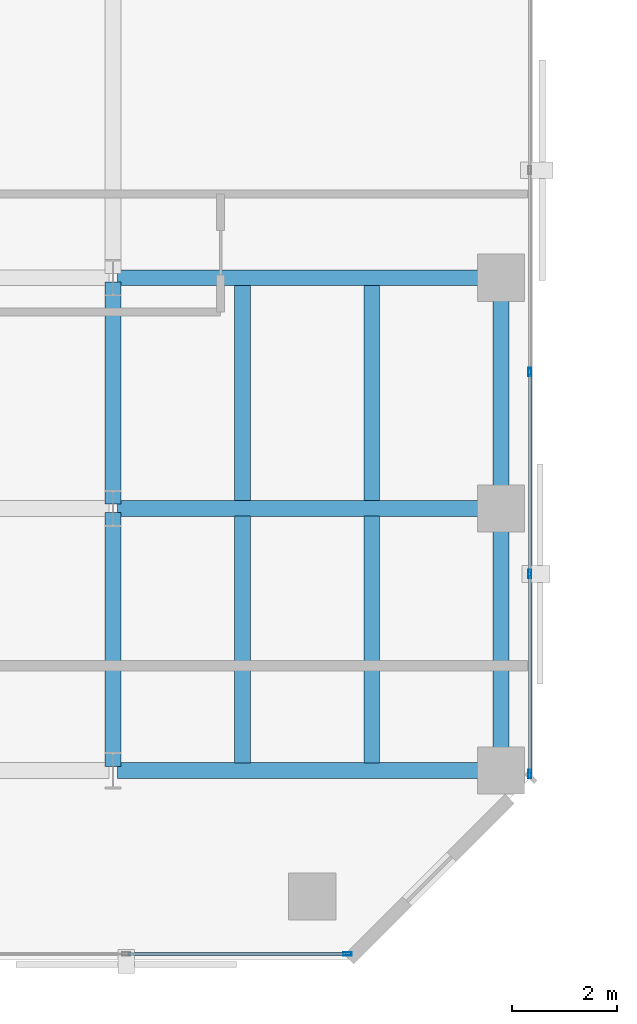
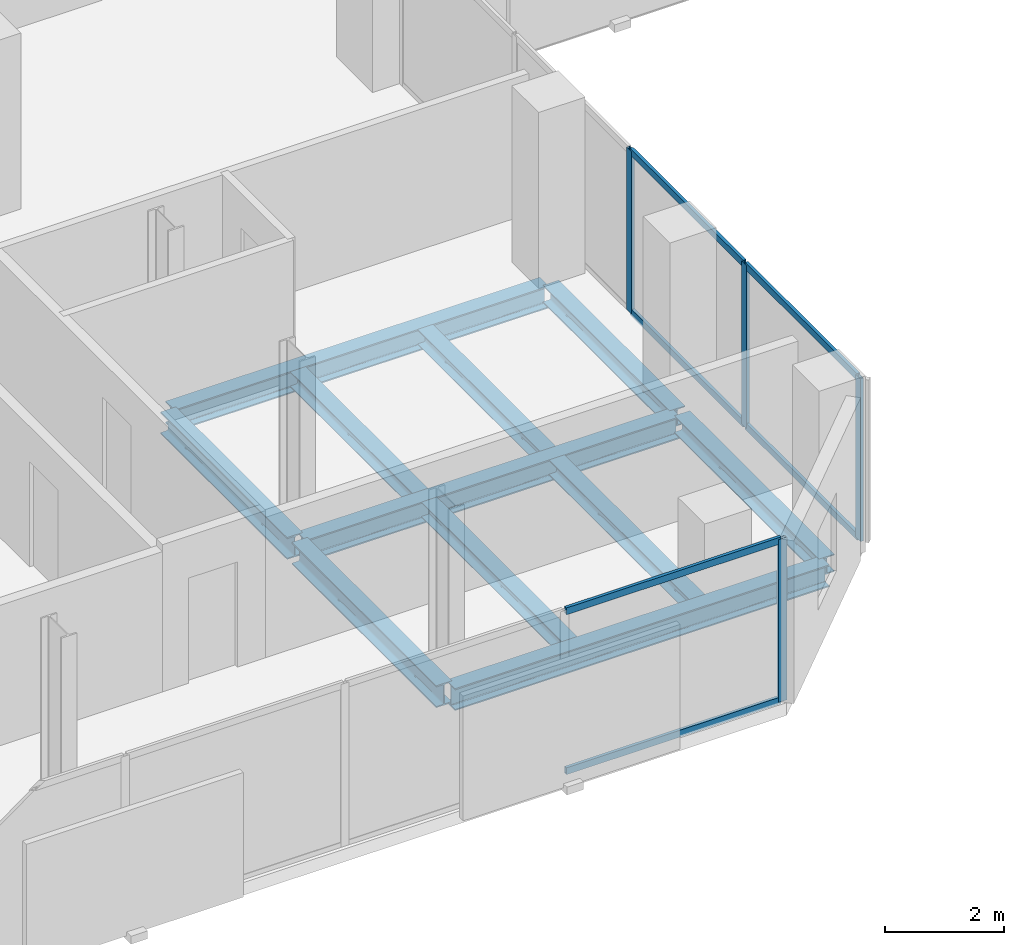
# One storey, part 7 of 34: 11 beams, 10 members, 2 elements without a shape of their own.
"""IFC4 building model written with IfcOpenShell, lengths in metres."""

from ifc_helpers import new_model, si_unit, direction, frame, origin, origin_2d, place, context, subcontext, project, spatial, hollow_rectangle, i_section, extrude, material, layer, layer_set, material_profile, profile_set, type_object, element, aggregate, save


model = new_model("IFC4")

# Units and contexts
model_context = context("Model", 3, precision=1e-05, world=origin(), true_north=direction((0.0, 1.0)))
body_context = subcontext(model_context, "Body", "Model", "MODEL_VIEW")
ifc_project = project(units=[si_unit("LENGTHUNIT", "METRE"), si_unit("AREAUNIT", "SQUARE_METRE"), si_unit("VOLUMEUNIT", "CUBIC_METRE"), si_unit("PLANEANGLEUNIT", "RADIAN"), si_unit("MASSUNIT", "GRAM", prefix="KILO")], contexts=[model_context])

# Site, building, storey
site_placement = place(None, origin())
site = spatial("IfcSite", under=ifc_project, at=site_placement, CompositionType="ELEMENT")
building_placement = place(site_placement, origin())
building = spatial("IfcBuilding", under=site, at=building_placement, Name="Catumbela Crestline Tower", CompositionType="ELEMENT")
storey_placement = place(building_placement, frame((0.0, 0.0, 111.6)))
storey = spatial("IfcBuildingStorey", under=building, at=storey_placement, Name="L28", CompositionType="ELEMENT", Elevation=111.6)

# Beams
ifc_material_1 = material(Name="Structural steel S355J2", Category="steel")
ifc_material_profile_1 = material_profile(ifc_material_1, i_section(OverallWidth=0.3, OverallDepth=0.45, WebThickness=0.014, FlangeThickness=0.026, FilletRadius=0.027, at=origin_2d()), Name="HEB 450")
ifc_profile_set_1 = profile_set([ifc_material_profile_1], Name="Structural steel S355J2")
beam_type_1 = type_object("IfcBeamType", Name="BG-HEB450", PredefinedType="BEAM", material=ifc_profile_set_1)
for number, where, z_axis, x_axis, name in (
    (1, (16.08, 8.6, -0.485), (1.0, 0.0, 0.0), (0.0, 1.0, 0.0), "L28 Beam BM-L28-WEW45"),
    (2, (16.08, 13.6, -0.485), (1.0, 0.0, 0.0), (0.0, 1.0, 0.0), "L28 Beam BM-L28-WEW48"),
    (3, (16.08, 18.0, -0.485), (1.0, 0.0, 0.0), (0.0, 1.0, 0.0), "L28 Beam BM-L28-WEW51"),
):
    element("IfcBeam", number, at=place(storey_placement, frame(where, z_axis=z_axis, x_axis=x_axis)), inside=storey, type_object=beam_type_1, Name=name, PredefinedType="BEAM", context=body_context, shape_type="SweptSolid", body=[
        extrude(i_section(OverallWidth=0.3, OverallDepth=0.45, WebThickness=0.014, FlangeThickness=0.026, FilletRadius=0.027, at=origin_2d()), origin(), (0.0, 0.0, 1.0), 7.24),
    ])
beam_1_placement = place(storey_placement, frame((16.0, 8.68, -0.485), z_axis=(0.0, 1.0, 0.0), x_axis=(-1.0, 0.0, 0.0)))
element("IfcBeam", 4, at=beam_1_placement, inside=storey, type_object=beam_type_1, Name="L28 Beam BM-L28-WNS58", PredefinedType="BEAM", context=body_context, shape_type="SweptSolid", body=[
    extrude(i_section(OverallWidth=0.3, OverallDepth=0.45, WebThickness=0.014, FlangeThickness=0.026, FilletRadius=0.027, at=origin_2d()), origin(), (0.0, 0.0, 1.0), 4.84),
])
beam_2_placement = place(storey_placement, frame((16.0, 13.68, -0.485), z_axis=(0.0, 1.0, 0.0), x_axis=(-1.0, 0.0, 0.0)))
element("IfcBeam", 5, at=beam_2_placement, inside=storey, type_object=beam_type_1, Name="L28 Beam BM-L28-WNS59", PredefinedType="BEAM", context=body_context, shape_type="SweptSolid", body=[
    extrude(i_section(OverallWidth=0.3, OverallDepth=0.45, WebThickness=0.014, FlangeThickness=0.026, FilletRadius=0.027, at=origin_2d()), origin(), (0.0, 0.0, 1.0), 4.24),
])
ifc_material_profile_2 = material_profile(ifc_material_1, i_section(OverallWidth=0.3, OverallDepth=0.31, WebThickness=0.009, FlangeThickness=0.0155, FilletRadius=0.027, at=origin_2d()), Name="HEA 320")
ifc_profile_set_2 = profile_set([ifc_material_profile_2], Name="Structural steel S355J2")
beam_type_2 = type_object("IfcBeamType", Name="BJ-HEA320", PredefinedType="JOIST", material=ifc_profile_set_2)
for number, where, z_axis, x_axis, name in (
    (6, (18.467, 8.747, -0.415), (0.0, 1.0, 0.0), (-1.0, 0.0, 0.0), "L28 Joist JS-L28-WG67"),
    (7, (20.933, 8.747, -0.415), (0.0, 1.0, 0.0), (-1.0, 0.0, 0.0), "L28 Joist JS-L28-WG68"),
):
    element("IfcBeam", number, at=place(storey_placement, frame(where, z_axis=z_axis, x_axis=x_axis)), inside=storey, type_object=beam_type_2, Name=name, PredefinedType="JOIST", context=body_context, shape_type="SweptSolid", body=[
        extrude(i_section(OverallWidth=0.3, OverallDepth=0.31, WebThickness=0.009, FlangeThickness=0.0155, FilletRadius=0.027, at=origin_2d()), origin(), (0.0, 0.0, 1.0), 4.706),
    ])
for number, where, z_axis, x_axis, name in (
    (8, (18.467, 13.747, -0.415), (0.0, 1.0, 0.0), (-1.0, 0.0, 0.0), "L28 Joist JS-L28-WG73"),
    (9, (20.933, 13.747, -0.415), (0.0, 1.0, 0.0), (-1.0, 0.0, 0.0), "L28 Joist JS-L28-WG74"),
):
    element("IfcBeam", number, at=place(storey_placement, frame(where, z_axis=z_axis, x_axis=x_axis)), inside=storey, type_object=beam_type_2, Name=name, PredefinedType="JOIST", context=body_context, shape_type="SweptSolid", body=[
        extrude(i_section(OverallWidth=0.3, OverallDepth=0.31, WebThickness=0.009, FlangeThickness=0.0155, FilletRadius=0.027, at=origin_2d()), origin(), (0.0, 0.0, 1.0), 4.106),
    ])

# Curtain wall, member
ifc_material_2 = material(Name="Aluminium alloy AW-6060-T66", Category="aluminium")
ifc_layer = layer(ifc_material_2, 0.18, Name="Aluminium alloy AW-6060-T66")
ifc_layer_set = layer_set([ifc_layer], Name="Aluminium alloy AW-6060-T66")
curtain_wall_type = type_object("IfcCurtainWallType", Name="CWU-Z2", PredefinedType="USERDEFINED", material=ifc_layer_set)
curtain_wall_1_placement = place(storey_placement, origin())
curtain_wall_1 = element("IfcCurtainWall", 10, at=curtain_wall_1_placement, inside=storey, type_object=curtain_wall_type, Name="L28 Unitised Curtain Wall CW-L28-E0S1", ObjectType="UNITISED", PredefinedType="USERDEFINED")
ifc_material_profile_3 = material_profile(ifc_material_2, hollow_rectangle(XDim=0.06, YDim=0.16, WallThickness=0.004, at=origin_2d()), Name="ALU 160x60x4")
ifc_profile_set_3 = profile_set([ifc_material_profile_3], Name="Aluminium alloy AW-6060-T66")
member_type_1 = type_object("IfcMemberType", Name="MUL-160X60", PredefinedType="MULLION", material=ifc_profile_set_3)
member_1_placement = place(storey_placement, frame((20.4675, 5.1, 0.0), z_axis=(0.0, 0.0, 1.0), x_axis=(0.0, 1.0, 0.0)))
member_1 = element("IfcMember", 11, at=member_1_placement, type_object=member_type_1, Name="CWU-Z2 mullion 5", PredefinedType="MULLION", context=body_context, shape_type="SweptSolid", body=[
    extrude(hollow_rectangle(XDim=0.06, YDim=0.16, WallThickness=0.004, at=origin_2d()), origin(), (0.0, 0.0, 1.0), 3.33),
])

# Curtain wall, members
curtain_wall_2_placement = place(storey_placement, origin())
curtain_wall_2 = element("IfcCurtainWall", 12, at=curtain_wall_2_placement, inside=storey, type_object=curtain_wall_type, Name="L28 Unitised Curtain Wall CW-L28-E2S1", ObjectType="UNITISED", PredefinedType="USERDEFINED")
member_2_placement = place(storey_placement, frame((23.95, 8.5325, 0.0), z_axis=(0.0, 0.0, 1.0), x_axis=(-1.0, 0.0, 0.0)))
member_2 = element("IfcMember", 13, at=member_2_placement, type_object=member_type_1, Name="CWU-Z2 mullion 1", PredefinedType="MULLION", context=body_context, shape_type="SweptSolid", body=[
    extrude(hollow_rectangle(XDim=0.06, YDim=0.16, WallThickness=0.004, at=origin_2d()), origin(), (0.0, 0.0, 1.0), 3.33),
])
member_3_placement = place(storey_placement, frame((23.95, 12.35, 0.0), z_axis=(0.0, 0.0, 1.0), x_axis=(-1.0, 0.0, 0.0)))
member_3 = element("IfcMember", 14, at=member_3_placement, type_object=member_type_1, Name="CWU-Z2 mullion 2", PredefinedType="MULLION", context=body_context, shape_type="SweptSolid", body=[
    extrude(hollow_rectangle(XDim=0.06, YDim=0.16, WallThickness=0.004, at=origin_2d()), origin(), (0.0, 0.0, 1.0), 3.33),
])
member_4_placement = place(storey_placement, frame((23.95, 16.2, 0.0), z_axis=(0.0, 0.0, 1.0), x_axis=(-1.0, 0.0, 0.0)))
member_4 = element("IfcMember", 15, at=member_4_placement, type_object=member_type_1, Name="CWU-Z2 mullion 3", PredefinedType="MULLION", context=body_context, shape_type="SweptSolid", body=[
    extrude(hollow_rectangle(XDim=0.06, YDim=0.16, WallThickness=0.004, at=origin_2d()), origin(), (0.0, 0.0, 1.0), 3.33),
])

# Beams
ifc_material_profile_4 = material_profile(ifc_material_1, i_section(OverallWidth=0.3, OverallDepth=0.36, WebThickness=0.0125, FlangeThickness=0.0225, FilletRadius=0.027, at=origin_2d()), Name="HEB 360")
ifc_profile_set_4 = profile_set([ifc_material_profile_4], Name="Structural steel S355J2")
beam_type_3 = type_object("IfcBeamType", Name="BS-HEB360", PredefinedType="SPANDREL", material=ifc_profile_set_4)
beam_3_placement = place(storey_placement, frame((23.4, 8.68, -0.44), z_axis=(0.0, 1.0, 0.0), x_axis=(-1.0, 0.0, 0.0)))
element("IfcBeam", 16, at=beam_3_placement, inside=storey, type_object=beam_type_3, Name="L28 Spandrel SP-L28-WNS61", PredefinedType="SPANDREL", context=body_context, shape_type="SweptSolid", body=[
    extrude(i_section(OverallWidth=0.3, OverallDepth=0.36, WebThickness=0.0125, FlangeThickness=0.0225, FilletRadius=0.027, at=origin_2d()), origin(), (0.0, 0.0, 1.0), 4.84),
])
beam_4_placement = place(storey_placement, frame((23.4, 13.68, -0.44), z_axis=(0.0, 1.0, 0.0), x_axis=(-1.0, 0.0, 0.0)))
element("IfcBeam", 17, at=beam_4_placement, inside=storey, type_object=beam_type_3, Name="L28 Spandrel SP-L28-WNS62", PredefinedType="SPANDREL", context=body_context, shape_type="SweptSolid", body=[
    extrude(i_section(OverallWidth=0.3, OverallDepth=0.36, WebThickness=0.0125, FlangeThickness=0.0225, FilletRadius=0.027, at=origin_2d()), origin(), (0.0, 0.0, 1.0), 4.24),
])

# Member
ifc_material_profile_5 = material_profile(ifc_material_2, hollow_rectangle(XDim=0.06, YDim=0.14, WallThickness=0.004, at=origin_2d()), Name="ALU 140x60x4")
ifc_profile_set_5 = profile_set([ifc_material_profile_5], Name="Aluminium alloy AW-6060-T66")
member_type_2 = type_object("IfcMemberType", Name="TRN-140X60", PredefinedType="USERDEFINED", material=ifc_profile_set_5)
member_5_placement = place(storey_placement, frame((16.2825, 5.1, 0.03), z_axis=(1.0, 0.0, 0.0), x_axis=(0.0, 1.0, 0.0)))
member_5 = element("IfcMember", 18, at=member_5_placement, type_object=member_type_2, Name="CWU-Z2 transom 4.1", ObjectType="TRANSOM", PredefinedType="USERDEFINED", context=body_context, shape_type="SweptSolid", body=[
    extrude(hollow_rectangle(XDim=0.06, YDim=0.14, WallThickness=0.004, at=origin_2d()), origin(), (0.0, 0.0, 1.0), 4.1525),
])

member_6_placement = place(storey_placement, frame((16.2825, 5.1, 3.3), z_axis=(1.0, 0.0, 0.0), x_axis=(0.0, 1.0, 0.0)))
member_6 = element("IfcMember", 19, at=member_6_placement, type_object=member_type_2, Name="CWU-Z2 transom 4.2", ObjectType="TRANSOM", PredefinedType="USERDEFINED", context=body_context, shape_type="SweptSolid", body=[
    extrude(hollow_rectangle(XDim=0.06, YDim=0.14, WallThickness=0.004, at=origin_2d()), origin(), (0.0, 0.0, 1.0), 4.1525),
])

aggregate(curtain_wall_1, [member_1, member_5, member_6])

member_7_placement = place(storey_placement, frame((23.95, 8.565, 0.03), z_axis=(0.0, 1.0, 0.0), x_axis=(-1.0, 0.0, 0.0)))
member_7 = element("IfcMember", 20, at=member_7_placement, type_object=member_type_2, Name="CWU-Z2 transom 1.1", ObjectType="TRANSOM", PredefinedType="USERDEFINED", context=body_context, shape_type="SweptSolid", body=[
    extrude(hollow_rectangle(XDim=0.06, YDim=0.14, WallThickness=0.004, at=origin_2d()), origin(), (0.0, 0.0, 1.0), 3.7525),
])

member_8_placement = place(storey_placement, frame((23.95, 8.565, 3.3), z_axis=(0.0, 1.0, 0.0), x_axis=(-1.0, 0.0, 0.0)))
member_8 = element("IfcMember", 21, at=member_8_placement, type_object=member_type_2, Name="CWU-Z2 transom 1.2", ObjectType="TRANSOM", PredefinedType="USERDEFINED", context=body_context, shape_type="SweptSolid", body=[
    extrude(hollow_rectangle(XDim=0.06, YDim=0.14, WallThickness=0.004, at=origin_2d()), origin(), (0.0, 0.0, 1.0), 3.7525),
])

member_9_placement = place(storey_placement, frame((23.95, 12.3825, 0.03), z_axis=(0.0, 1.0, 0.0), x_axis=(-1.0, 0.0, 0.0)))
member_9 = element("IfcMember", 22, at=member_9_placement, type_object=member_type_2, Name="CWU-Z2 transom 2.1", ObjectType="TRANSOM", PredefinedType="USERDEFINED", context=body_context, shape_type="SweptSolid", body=[
    extrude(hollow_rectangle(XDim=0.06, YDim=0.14, WallThickness=0.004, at=origin_2d()), origin(), (0.0, 0.0, 1.0), 3.785),
])

member_10_placement = place(storey_placement, frame((23.95, 12.3825, 3.3), z_axis=(0.0, 1.0, 0.0), x_axis=(-1.0, 0.0, 0.0)))
member_10 = element("IfcMember", 23, at=member_10_placement, type_object=member_type_2, Name="CWU-Z2 transom 2.2", ObjectType="TRANSOM", PredefinedType="USERDEFINED", context=body_context, shape_type="SweptSolid", body=[
    extrude(hollow_rectangle(XDim=0.06, YDim=0.14, WallThickness=0.004, at=origin_2d()), origin(), (0.0, 0.0, 1.0), 3.785),
])

aggregate(curtain_wall_2, [member_2, member_3, member_4, member_7, member_8, member_9, member_10])

save(model, "model.ifc")
